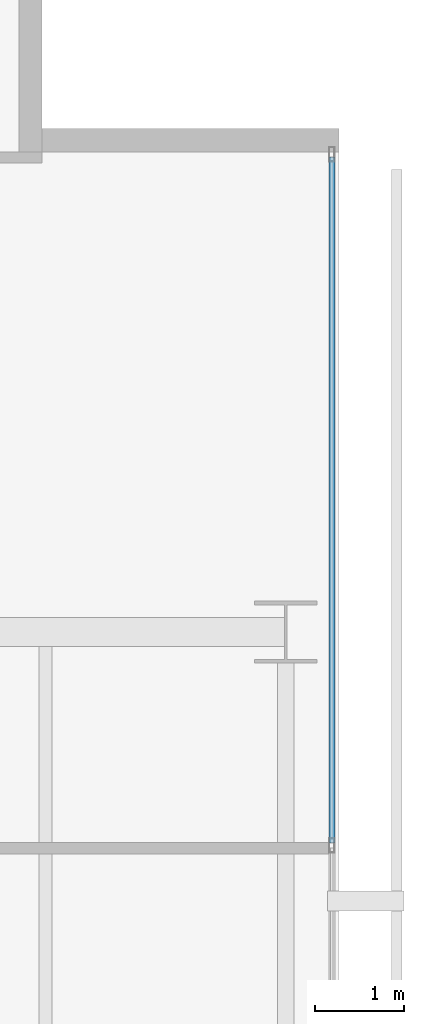
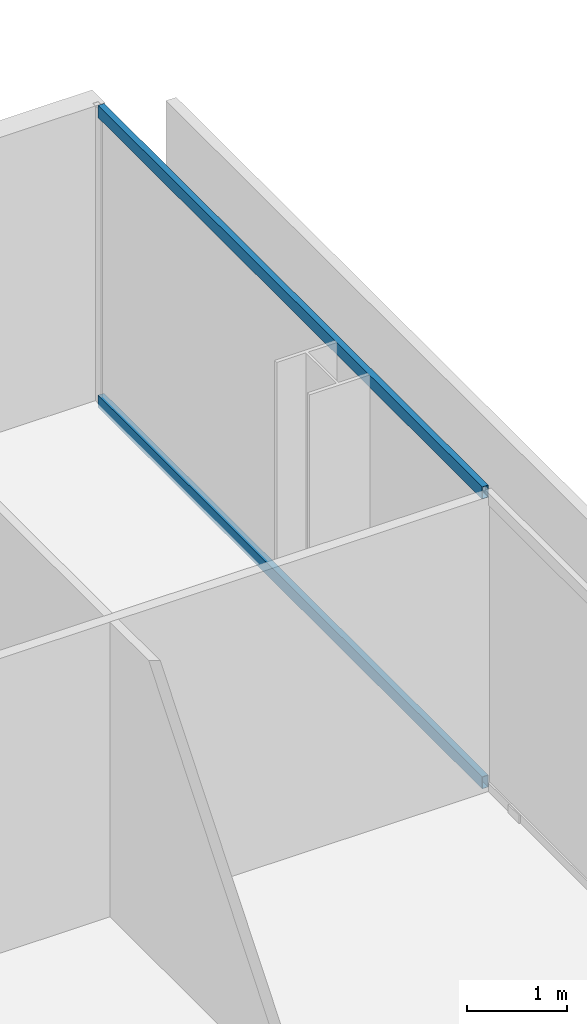
# One storey, part 29 of 40: 2 members, 1 element without a shape of its own.
"""IFC4 building model written with IfcOpenShell, lengths in metres."""

import ifcopenshell
import ifcopenshell.guid

model = None  # the IFC model being written
_history = None  # IfcOwnerHistory: only IFC2X3 demands one
_inside = {}  # id of a spatial element -> (the spatial element, [elements in it])
_under = {}  # id of a project, library or spatial element -> (it, [spatial elements below it])
_declared = {}  # id of a project -> (the project, [libraries it declares])
_typed = {}  # id of a type object -> (the type object, [elements of that type])
_made_of = {}  # id of a material, layer set ... -> (it, [elements and type objects made of it])


def new_model(schema):
    """Start an empty IFC model of exactly this schema.

    Asked for "IFC4X3", IfcOpenShell would pick the latest addendum, in which some entities
    have other attributes; the version numbers below select the first issue.
    IFC2X3 requires an IfcOwnerHistory on every rooted entity: one is made here for all.
    """
    global model, _history
    if schema == "IFC4X3":
        model = ifcopenshell.file(schema_version=(4, 3, 0, 0))
    else:
        model = ifcopenshell.file(schema=schema)
    _inside.clear()
    _under.clear()
    _declared.clear()
    _typed.clear()
    _made_of.clear()
    _history = None
    if model.schema == "IFC2X3":
        org = make("IfcOrganization", Name="unknown")
        user = make(
            "IfcPersonAndOrganization",
            ThePerson=make("IfcPerson", FamilyName="unknown"),
            TheOrganization=org,
        )
        app = make(
            "IfcApplication",
            ApplicationDeveloper=org,
            Version="unknown",
            ApplicationFullName="unknown",
            ApplicationIdentifier="unknown",
        )
        _history = make(
            "IfcOwnerHistory",
            OwningUser=user,
            OwningApplication=app,
            ChangeAction="ADDED",
            CreationDate=0,
        )
    return model


def make(cls, **values):
    """One entity of the class cls with the attributes given. An attribute that is None is left unset."""
    return model.create_entity(
        cls, **{name: value for name, value in values.items() if value is not None}
    )


def rooted(cls, **values):
    """An entity with a GlobalId (a new one), such as an element, a storey or a relation."""
    return make(cls, GlobalId=ifcopenshell.guid.new(), OwnerHistory=_history, **values)


def si_unit(unit_type, name, prefix=None):
    """IfcSIUnit, for example si_unit("LENGTHUNIT", "METRE", prefix="MILLI")."""
    return make("IfcSIUnit", UnitType=unit_type, Prefix=prefix, Name=name)


def assignment(units):
    """IfcUnitAssignment: the units of a project."""
    return None if units is None else make("IfcUnitAssignment", Units=units)


def point(xyz):
    """IfcCartesianPoint."""
    return None if xyz is None else make("IfcCartesianPoint", Coordinates=xyz)


def direction(xyz):
    """IfcDirection."""
    return None if xyz is None else make("IfcDirection", DirectionRatios=xyz)


def frame(location, z_axis=None, x_axis=None):
    """IfcAxis2Placement3D, a coordinate frame: its origin and axes. An axis left out is left unset."""
    return make(
        "IfcAxis2Placement3D",
        Location=point(location),
        Axis=direction(z_axis),
        RefDirection=direction(x_axis),
    )


def frame_2d(location, x_axis=None):
    """IfcAxis2Placement2D, a coordinate frame in the plane: its origin and x axis."""
    return make(
        "IfcAxis2Placement2D", Location=point(location), RefDirection=direction(x_axis)
    )


def origin():
    """The frame at (0, 0, 0) with its axes left unset."""
    return frame((0.0, 0.0, 0.0))


def origin_2d():
    """The frame at (0, 0) in the plane with its x axis left unset."""
    return frame_2d((0.0, 0.0))


def place(relative_to, where):
    """IfcLocalPlacement: puts the frame where relative to a parent placement (None: the world)."""
    return make(
        "IfcLocalPlacement", PlacementRelTo=relative_to, RelativePlacement=where
    )


def context(
    kind, dimensions, precision=None, world=None, true_north=None, identifier=None
):
    """IfcGeometricRepresentationContext, for example the 3D "Model" context."""
    return make(
        "IfcGeometricRepresentationContext",
        ContextIdentifier=identifier,
        ContextType=kind,
        CoordinateSpaceDimension=dimensions,
        Precision=precision,
        WorldCoordinateSystem=world,
        TrueNorth=true_north,
    )


def subcontext(parent, identifier, kind, view, scale=None):
    """IfcGeometricRepresentationSubContext, for example "Body" below "Model"."""
    return make(
        "IfcGeometricRepresentationSubContext",
        ContextIdentifier=identifier,
        ContextType=kind,
        ParentContext=parent,
        TargetScale=scale,
        TargetView=view,
    )


def project(units=None, contexts=None):
    """IfcProject with its units and contexts."""
    return rooted(
        "IfcProject",
        Name="project",
        RepresentationContexts=contexts,
        UnitsInContext=assignment(units),
    )


def spatial(cls, under=None, at=None, **own):
    """A site, building, storey or space (cls), placed at a placement, below another one or the project."""
    s = rooted(cls, ObjectPlacement=at, **own)
    if under is not None:
        _under.setdefault(under.id(), (under, []))[1].append(s)
    return s


def profile(cls, at=None, kind="AREA", **sizes):
    """A parametric profile (cls). Its sizes go by their IFC names, for example OverallWidth=200.0."""
    return make(cls, ProfileType=kind, Position=at, **sizes)


def hollow_rectangle(**sizes):
    """IfcRectangleHollowProfileDef."""
    return profile("IfcRectangleHollowProfileDef", **sizes)


def extrude(swept, where, along, depth):
    """IfcExtrudedAreaSolid: the profile swept, set in the frame where, extruded along a direction by depth."""
    return make(
        "IfcExtrudedAreaSolid",
        SweptArea=swept,
        Position=where,
        ExtrudedDirection=direction(along),
        Depth=depth,
    )


def shape(context_of_items, identifier, shape_type, items):
    """IfcShapeRepresentation: the items that make up one representation, for example the "Body"."""
    return make(
        "IfcShapeRepresentation",
        ContextOfItems=context_of_items,
        RepresentationIdentifier=identifier,
        RepresentationType=shape_type,
        Items=items,
    )


def material(Name=None, Category=None):
    """IfcMaterial."""
    return make("IfcMaterial", Name=Name, Category=Category)


def layer(
    of_material, thickness, ventilated=None, Name=None, Category=None, Priority=None
):
    """IfcMaterialLayer: one layer of a wall or slab, of a material (None: an air gap)."""
    return make(
        "IfcMaterialLayer",
        Material=of_material,
        LayerThickness=thickness,
        IsVentilated=ventilated,
        Name=Name,
        Category=Category,
        Priority=Priority,
    )


def layer_set(layers, Name=None):
    """IfcMaterialLayerSet."""
    return make("IfcMaterialLayerSet", MaterialLayers=layers, LayerSetName=Name)


def material_profile(
    of_material, cross_section, Name=None, Category=None, Priority=None
):
    """IfcMaterialProfile: a cross section and its material."""
    return make(
        "IfcMaterialProfile",
        Name=Name,
        Material=of_material,
        Profile=cross_section,
        Priority=Priority,
        Category=Category,
    )


def profile_set(profiles, Name=None, composite=None):
    """IfcMaterialProfileSet."""
    return make(
        "IfcMaterialProfileSet",
        Name=Name,
        MaterialProfiles=profiles,
        CompositeProfile=composite,
    )


def made_of(thing, what):
    """Note that an element or type object is made of a material, layer set ...; save() writes the relation."""
    if what is not None:
        _made_of.setdefault(what.id(), (what, []))[1].append(thing)
    return thing


def type_object(cls, material=None, **own):
    """A type object (cls), such as IfcWallType, which elements share."""
    return made_of(rooted(cls, **own), material)


def element(
    cls,
    number,
    at=None,
    inside=None,
    cuts=None,
    type_object=None,
    material=None,
    context=None,
    identifier="Body",
    shape_type=None,
    held_by="IfcProductDefinitionShape",
    body=None,
    shapes=None,
    **own,
):
    """One element of the class cls, such as IfcWall. Its Tag is "e" and its number.

    at: its placement. inside: the storey or other place that contains it. cuts: it is an
    opening in that element (IfcRelVoidsElement). A single representation is given by context,
    identifier, shape_type and body (its items); several are given by shapes. held_by: the class
    of the entity that holds the representations. save() writes the other relations.
    """
    e = rooted(cls, Tag="e%d" % number, ObjectPlacement=at, **own)
    if body is not None:
        shapes = [shape(context, identifier, shape_type, body)]
    if shapes is not None:
        e.Representation = make(held_by, Representations=shapes)
    if inside is not None:
        _inside.setdefault(inside.id(), (inside, []))[1].append(e)
    if cuts is not None:
        rooted(
            "IfcRelVoidsElement", RelatingBuildingElement=cuts, RelatedOpeningElement=e
        )
    if type_object is not None:
        _typed.setdefault(type_object.id(), (type_object, []))[1].append(e)
    return made_of(e, material)


def aggregate(whole, parts):
    """IfcRelAggregates: a whole, such as a stair, and the parts it consists of."""
    return rooted("IfcRelAggregates", RelatingObject=whole, RelatedObjects=parts)


def save(model, path):
    """Write the relations noted so far, then the file.

    IfcRelAggregates (storeys below a building ...), IfcRelContainedInSpatialStructure (elements
    in a storey), IfcRelDefinesByType, IfcRelAssociatesMaterial and IfcRelDeclares: one each for
    every whole, place, type object, material and project.
    """
    for whole, parts in _under.values():
        aggregate(whole, parts)
    for where, things in _inside.values():
        rooted(
            "IfcRelContainedInSpatialStructure",
            RelatedElements=things,
            RelatingStructure=where,
        )
    for kind, things in _typed.values():
        rooted("IfcRelDefinesByType", RelatedObjects=things, RelatingType=kind)
    for what, things in _made_of.values():
        rooted("IfcRelAssociatesMaterial", RelatedObjects=things, RelatingMaterial=what)
    for by, libraries in _declared.values():
        rooted("IfcRelDeclares", RelatingContext=by, RelatedDefinitions=libraries)
    model.write(path)


model = new_model("IFC4")

# Units and contexts
model_context = context("Model", 3, precision=1e-05, world=origin(), true_north=direction((0.0, 1.0)))
body_context = subcontext(model_context, "Body", "Model", "MODEL_VIEW")
ifc_project = project(units=[si_unit("LENGTHUNIT", "METRE"), si_unit("AREAUNIT", "SQUARE_METRE"), si_unit("VOLUMEUNIT", "CUBIC_METRE"), si_unit("PLANEANGLEUNIT", "RADIAN"), si_unit("MASSUNIT", "GRAM", prefix="KILO")], contexts=[model_context])

# Site, building, storey
site_placement = place(None, origin())
site = spatial("IfcSite", under=ifc_project, at=site_placement, CompositionType="ELEMENT")
building_placement = place(site_placement, origin())
building = spatial("IfcBuilding", under=site, at=building_placement, Name="Maruvema Waterfront Hotel and Observation Tower", CompositionType="ELEMENT")
storey_placement = place(building_placement, frame((0.0, 0.0, 57.75)))
storey = spatial("IfcBuildingStorey", under=building, at=storey_placement, Name="L13", CompositionType="ELEMENT", Elevation=57.75)

# Curtain wall, members
ifc_material_1 = material(Name="Anodised bronze aluminium and solar-control low-E IGU", Category="aluminium")
ifc_layer = layer(ifc_material_1, 0.159912109375, Name="Zone 1 Bronze Inner Thermal Curtain Wall System CW-02")
ifc_layer_set = layer_set([ifc_layer], Name="Anodised bronze aluminium and solar-control low-E IGU")
curtain_wall_type = type_object("IfcCurtainWallType", Name="Zone 1 Bronze Inner Thermal Curtain Wall System CW-02", PredefinedType="USERDEFINED", material=ifc_layer_set)
curtain_wall_placement = place(storey_placement, origin())
curtain_wall = element("IfcCurtainWall", 1, at=curtain_wall_placement, inside=storey, type_object=curtain_wall_type, Name="L13 Curtain Wall CW-L13-E", ObjectType="UNITISED CURTAIN WALL", PredefinedType="USERDEFINED")
ifc_material_2 = material(Name="Anodised architectural bronze aluminium", Category="aluminium")
ifc_material_profile = material_profile(ifc_material_2, hollow_rectangle(XDim=0.070068359375, YDim=0.14990234375, WallThickness=0.00390625, at=origin_2d()), Name="ALU-T70x150")
ifc_profile_set = profile_set([ifc_material_profile], Name="Anodised architectural bronze aluminium")
member_type = type_object("IfcMemberType", Name="Curtain Wall Horizontal Transom ALU-T70x150", PredefinedType="USERDEFINED", material=ifc_profile_set)
member_1_placement = place(storey_placement, frame((64.719970703125, 42.6298828125, 0.030029296875), z_axis=(0.0, 1.0, 0.0), x_axis=(-1.0, 0.0, 0.0)))
member_1 = element("IfcMember", 2, at=member_1_placement, type_object=member_type, Name="CW-02 transom 6.1", ObjectType="TRANSOM", PredefinedType="USERDEFINED", context=body_context, shape_type="SweptSolid", body=[
    extrude(hollow_rectangle(XDim=0.070068359375, YDim=0.14990234375, WallThickness=0.00390625, at=origin_2d()), origin(), (0.0, 0.0, 1.0), 7.710205078125),
])
member_2_placement = place(storey_placement, frame((64.719970703125, 42.6298828125, 3.580078125), z_axis=(0.0, 1.0, 0.0), x_axis=(-1.0, 0.0, 0.0)))
member_2 = element("IfcMember", 3, at=member_2_placement, type_object=member_type, Name="CW-02 transom 6.2", ObjectType="TRANSOM", PredefinedType="USERDEFINED", context=body_context, shape_type="SweptSolid", body=[
    extrude(hollow_rectangle(XDim=0.070068359375, YDim=0.14990234375, WallThickness=0.00390625, at=origin_2d()), origin(), (0.0, 0.0, 1.0), 7.710205078125),
])
aggregate(curtain_wall, [member_1, member_2])

save(model, "model.ifc")
